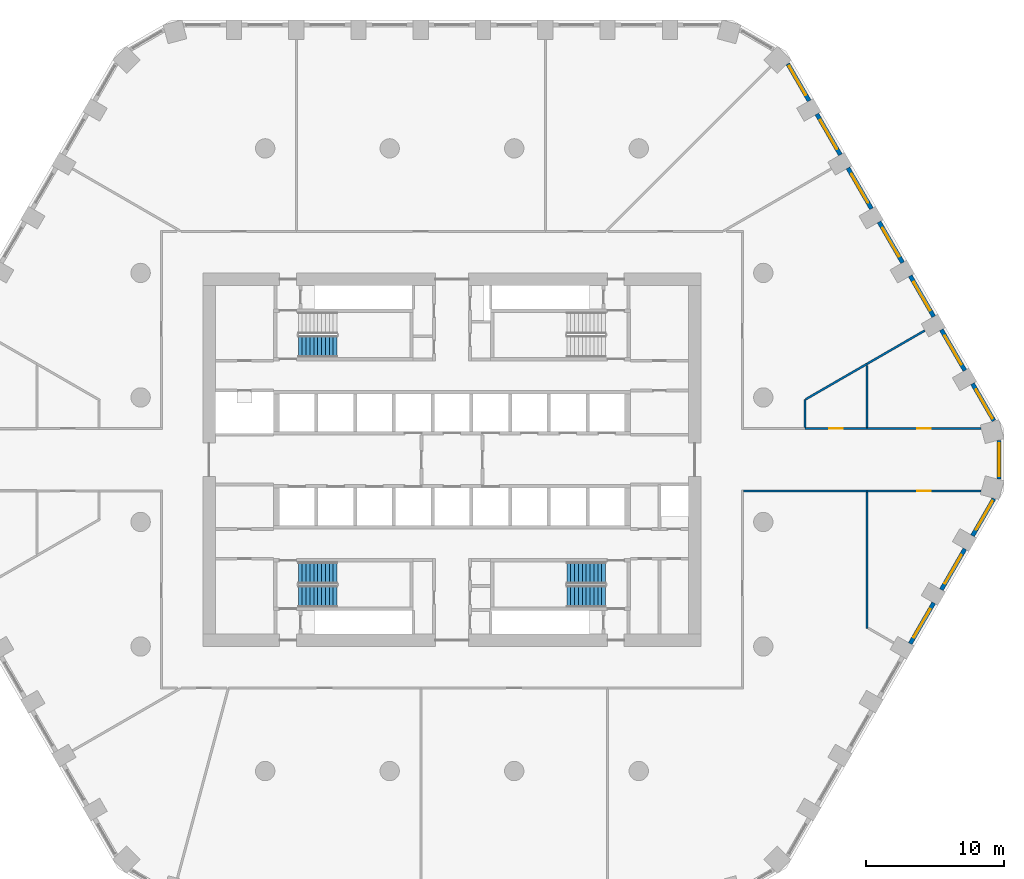
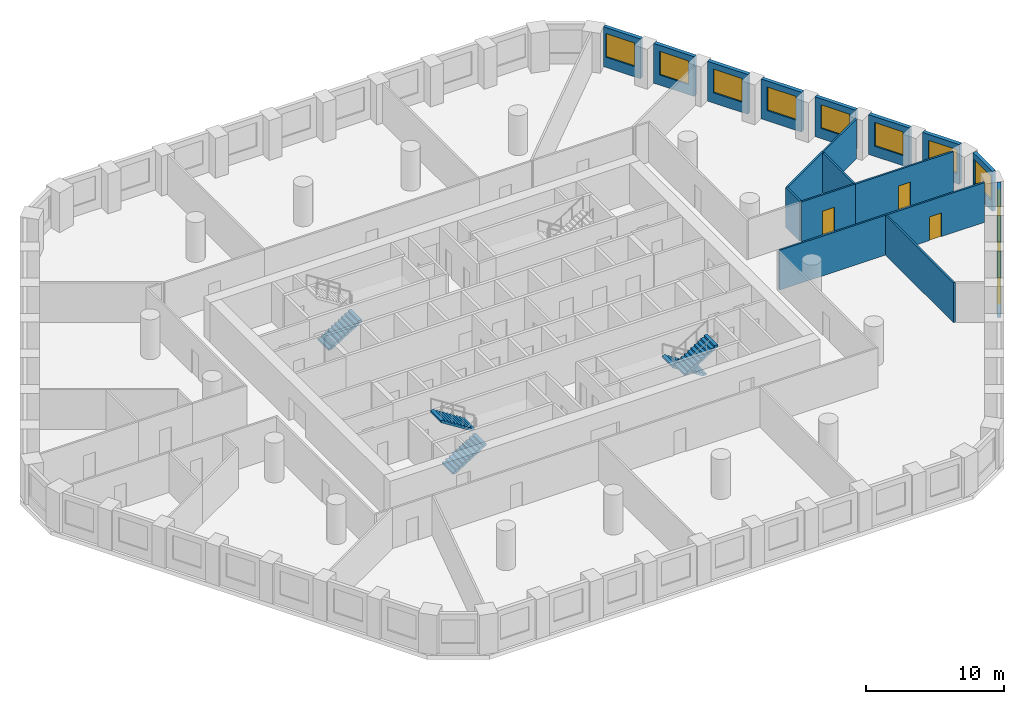
# One storey, part 8 of 10: 20 walls, 11 windows, 5 stair flights, 3 doors, 14 openings, 3 elements without a shape of their own.
"""IFC4 building model written with IfcOpenShell, lengths in metres."""

from ifc_helpers import new_model, si_unit, direction, frame, frame_2d, origin, place, context, subcontext, project, spatial, polyline, rectangle, outline, extrude, material, layer, layer_set, type_object, element, fill, aggregate, save


model = new_model("IFC4")

# Units and contexts
model_context = context("Model", 3, precision=1e-05, world=origin(), true_north=direction((0.0, 1.0)))
body_context = subcontext(model_context, "Body", "Model", "MODEL_VIEW")
ifc_project = project(units=[si_unit("LENGTHUNIT", "METRE"), si_unit("AREAUNIT", "SQUARE_METRE"), si_unit("VOLUMEUNIT", "CUBIC_METRE"), si_unit("PLANEANGLEUNIT", "RADIAN"), si_unit("MASSUNIT", "GRAM", prefix="KILO")], contexts=[model_context])

# Site, building, storey
site_placement = place(None, origin())
site = spatial("IfcSite", under=ifc_project, at=site_placement, CompositionType="ELEMENT")
building_placement = place(site_placement, origin())
building = spatial("IfcBuilding", under=site, at=building_placement, Name="Dhurran Vertical Campus", CompositionType="ELEMENT")
storey_placement = place(building_placement, frame((0.0, 0.0, 37.800048828125)))
storey = spatial("IfcBuildingStorey", under=building, at=storey_placement, Name="L08", CompositionType="ELEMENT", Elevation=37.800048828125)

# Wall, opening, window
ifc_material_1 = material(Name="Precast concrete C50/60", Category="concrete")
ifc_layer_1 = layer(ifc_material_1, 0.300048828125)
ifc_layer_set_1 = layer_set([ifc_layer_1], Name="Precast concrete C50/60")
wall_type_1 = type_object("IfcWallType", Name="Precast spandrel wall 300", PredefinedType="SOLIDWALL", material=ifc_layer_set_1)
wall_1_placement = place(storey_placement, frame((33.119384765625, -13.28955078125, 0.0), z_axis=(0.0, 0.0, 1.0), x_axis=(0.499993955907, 0.866028893315, 0.0)))
wall_1 = element("IfcWall", 1, at=wall_1_placement, inside=storey, type_object=wall_type_1, Name="EW1 L08.14", PredefinedType="SOLIDWALL", context=body_context, shape_type="SweptSolid", body=[
    extrude(rectangle(XDim=3.39892578125, YDim=0.300048828125, at=frame_2d((1.699462890625, 0.0))), origin(), (0.0, 0.0, 1.0), 3.52490234375),
])
opening_1_placement = place(wall_1_placement, frame((0.49951171875, 0.0, 0.89990234375)))
opening_1 = element("IfcOpeningElement", 2, at=opening_1_placement, cuts=wall_1, Name="Opening WT1", PredefinedType="OPENING", context=body_context, shape_type="SweptSolid", body=[
    extrude(rectangle(XDim=2.39990234375, YDim=2.10009765625, at=frame_2d((1.199951171875, 1.050048828125))), frame((0.0, 0.159912109375, 0.0), z_axis=(0.0, -1.0, 0.0), x_axis=(1.0, 0.0, 0.0)), (0.0, 0.0, 1.0), 0.320068359375),
])
ifc_material_2 = material(Name="Aluminium frame with solar-control glass", Category="aluminium")
window_type = type_object("IfcWindowType", Name="Punched window 2400 x 2100", PartitioningType="SINGLE_PANEL", PredefinedType="WINDOW", material=ifc_material_2)
window_1_placement = place(opening_1_placement, origin())
window_1 = element("IfcWindow", 3, at=window_1_placement, inside=storey, type_object=window_type, Name="WT1 L08.14", OverallHeight=2.10009765625, OverallWidth=2.39990234375, PartitioningType="SINGLE_PANEL", PredefinedType="WINDOW", context=body_context, shape_type="SweptSolid", body=[
    extrude(rectangle(XDim=2.39990234375, YDim=2.10009765625, at=frame_2d((1.199951171875, 1.050048828125))), frame((0.0, 0.030029296875, 0.0), z_axis=(0.0, -1.0, 0.0), x_axis=(1.0, 0.0, 0.0)), (0.0, 0.0, 1.0), 0.06005859375),
])
fill(opening_1, window_1)

wall_2_placement = place(storey_placement, frame((35.369384765625, -9.392578125, 0.0), z_axis=(0.0, 0.0, 1.0), x_axis=(0.499993955907, 0.866028893315, 0.0)))
wall_2 = element("IfcWall", 4, at=wall_2_placement, inside=storey, type_object=wall_type_1, Name="EW1 L08.15", PredefinedType="SOLIDWALL", context=body_context, shape_type="SweptSolid", body=[
    extrude(rectangle(XDim=3.39892578125, YDim=0.300048828125, at=frame_2d((1.699462890625, 0.0))), origin(), (0.0, 0.0, 1.0), 3.52490234375),
])
opening_2_placement = place(wall_2_placement, frame((0.49951171875, 0.0, 0.89990234375)))
opening_2 = element("IfcOpeningElement", 5, at=opening_2_placement, cuts=wall_2, Name="Opening WT1", PredefinedType="OPENING", context=body_context, shape_type="SweptSolid", body=[
    extrude(rectangle(XDim=2.39990234375, YDim=2.10009765625, at=frame_2d((1.199951171875, 1.050048828125))), frame((0.0, 0.159912109375, 0.0), z_axis=(0.0, -1.0, 0.0), x_axis=(1.0, 0.0, 0.0)), (0.0, 0.0, 1.0), 0.320068359375),
])
window_2_placement = place(opening_2_placement, origin())
window_2 = element("IfcWindow", 6, at=window_2_placement, inside=storey, type_object=window_type, Name="WT1 L08.15", OverallHeight=2.10009765625, OverallWidth=2.39990234375, PartitioningType="SINGLE_PANEL", PredefinedType="WINDOW", context=body_context, shape_type="SweptSolid", body=[
    extrude(rectangle(XDim=2.39990234375, YDim=2.10009765625, at=frame_2d((1.199951171875, 1.050048828125))), frame((0.0, 0.030029296875, 0.0), z_axis=(0.0, -1.0, 0.0), x_axis=(1.0, 0.0, 0.0)), (0.0, 0.0, 1.0), 0.06005859375),
])
fill(opening_2, window_2)

wall_3_placement = place(storey_placement, frame((37.619384765625, -5.495361328125, 0.0), z_axis=(0.0, 0.0, 1.0), x_axis=(0.49997090907, 0.866042198789, 0.0)))
wall_3 = element("IfcWall", 7, at=wall_3_placement, inside=storey, type_object=wall_type_1, Name="EW1 L08.16", PredefinedType="SOLIDWALL", context=body_context, shape_type="SweptSolid", body=[
    extrude(rectangle(XDim=3.090576171875, YDim=0.300048828125, at=frame_2d((1.54541015625, 0.0))), origin(), (0.0, 0.0, 1.0), 3.52490234375),
])
opening_3_placement = place(wall_3_placement, frame((0.49951171875, 0.0, 0.89990234375)))
opening_3 = element("IfcOpeningElement", 8, at=opening_3_placement, cuts=wall_3, Name="Opening WT1", PredefinedType="OPENING", context=body_context, shape_type="SweptSolid", body=[
    extrude(rectangle(XDim=2.39990234375, YDim=2.10009765625, at=frame_2d((1.199951171875, 1.050048828125))), frame((0.0, 0.159912109375, 0.0), z_axis=(0.0, -1.0, 0.0), x_axis=(1.0, 0.0, 0.0)), (0.0, 0.0, 1.0), 0.320068359375),
])
window_3_placement = place(opening_3_placement, origin())
window_3 = element("IfcWindow", 9, at=window_3_placement, inside=storey, type_object=window_type, Name="WT1 L08.16", OverallHeight=2.10009765625, OverallWidth=2.39990234375, PartitioningType="SINGLE_PANEL", PredefinedType="WINDOW", context=body_context, shape_type="SweptSolid", body=[
    extrude(rectangle(XDim=2.39990234375, YDim=2.10009765625, at=frame_2d((1.199951171875, 1.050048828125))), frame((0.0, 0.030029296875, 0.0), z_axis=(0.0, -1.0, 0.0), x_axis=(1.0, 0.0, 0.0)), (0.0, 0.0, 1.0), 0.06005859375),
])
fill(opening_3, window_3)

wall_4_placement = place(storey_placement, frame((39.547119140625, -1.39111328125, 0.0), z_axis=(0.0, 0.0, 1.0), x_axis=(0.0, 1.0, 0.0)))
wall_4 = element("IfcWall", 10, at=wall_4_placement, inside=storey, type_object=wall_type_1, Name="EW1 L08.17", PredefinedType="SOLIDWALL", context=body_context, shape_type="SweptSolid", body=[
    extrude(rectangle(XDim=2.7822265625, YDim=0.300048828125, at=frame_2d((1.39111328125, 0.0))), origin(), (0.0, 0.0, 1.0), 3.52490234375),
])
opening_4_placement = place(wall_4_placement, frame((0.191162109375, 0.0, 0.89990234375)))
opening_4 = element("IfcOpeningElement", 11, at=opening_4_placement, cuts=wall_4, Name="Opening WT1", PredefinedType="OPENING", context=body_context, shape_type="SweptSolid", body=[
    extrude(rectangle(XDim=2.39990234375, YDim=2.10009765625, at=frame_2d((1.199951171875, 1.050048828125))), frame((0.0, 0.159912109375, 0.0), z_axis=(0.0, -1.0, 0.0), x_axis=(1.0, 0.0, 0.0)), (0.0, 0.0, 1.0), 0.320068359375),
])
window_4_placement = place(opening_4_placement, origin())
window_4 = element("IfcWindow", 12, at=window_4_placement, inside=storey, type_object=window_type, Name="WT1 L08.17", OverallHeight=2.10009765625, OverallWidth=2.39990234375, PartitioningType="SINGLE_PANEL", PredefinedType="WINDOW", context=body_context, shape_type="SweptSolid", body=[
    extrude(rectangle(XDim=2.39990234375, YDim=2.10009765625, at=frame_2d((1.199951171875, 1.050048828125))), frame((0.0, 0.030029296875, 0.0), z_axis=(0.0, -1.0, 0.0), x_axis=(1.0, 0.0, 0.0)), (0.0, 0.0, 1.0), 0.06005859375),
])
fill(opening_4, window_4)

wall_5_placement = place(storey_placement, frame((39.16455078125, 2.81884765625, 0.0), z_axis=(0.0, 0.0, 1.0), x_axis=(-0.49997090907, 0.866042198789, 0.0)))
wall_5 = element("IfcWall", 13, at=wall_5_placement, inside=storey, type_object=wall_type_1, Name="EW1 L08.18", PredefinedType="SOLIDWALL", context=body_context, shape_type="SweptSolid", body=[
    extrude(rectangle(XDim=3.090576171875, YDim=0.300048828125, at=frame_2d((1.54541015625, 0.0))), origin(), (0.0, 0.0, 1.0), 3.52490234375),
])
opening_5_placement = place(wall_5_placement, frame((0.19091796875, 0.0, 0.89990234375)))
opening_5 = element("IfcOpeningElement", 14, at=opening_5_placement, cuts=wall_5, Name="Opening WT1", PredefinedType="OPENING", context=body_context, shape_type="SweptSolid", body=[
    extrude(rectangle(XDim=2.39990234375, YDim=2.10009765625, at=frame_2d((1.199951171875, 1.050048828125))), frame((0.0, 0.159912109375, 0.0), z_axis=(0.0, -1.0, 0.0), x_axis=(1.0, 0.0, 0.0)), (0.0, 0.0, 1.0), 0.320068359375),
])
window_5_placement = place(opening_5_placement, origin())
window_5 = element("IfcWindow", 15, at=window_5_placement, inside=storey, type_object=window_type, Name="WT1 L08.18", OverallHeight=2.10009765625, OverallWidth=2.39990234375, PartitioningType="SINGLE_PANEL", PredefinedType="WINDOW", context=body_context, shape_type="SweptSolid", body=[
    extrude(rectangle(XDim=2.39990234375, YDim=2.10009765625, at=frame_2d((1.199951171875, 1.050048828125))), frame((0.0, 0.030029296875, 0.0), z_axis=(0.0, -1.0, 0.0), x_axis=(1.0, 0.0, 0.0)), (0.0, 0.0, 1.0), 0.06005859375),
])
fill(opening_5, window_5)

wall_6_placement = place(storey_placement, frame((37.06884765625, 6.448974609375, 0.0), z_axis=(0.0, 0.0, 1.0), x_axis=(-0.499993955907, 0.866028893315, 0.0)))
wall_6 = element("IfcWall", 16, at=wall_6_placement, inside=storey, type_object=wall_type_1, Name="EW1 L08.19", PredefinedType="SOLIDWALL", context=body_context, shape_type="SweptSolid", body=[
    extrude(rectangle(XDim=3.39892578125, YDim=0.300048828125, at=frame_2d((1.699462890625, 0.0))), origin(), (0.0, 0.0, 1.0), 3.52490234375),
])
opening_6_placement = place(wall_6_placement, frame((0.49951171875, 0.0, 0.89990234375)))
opening_6 = element("IfcOpeningElement", 17, at=opening_6_placement, cuts=wall_6, Name="Opening WT1", PredefinedType="OPENING", context=body_context, shape_type="SweptSolid", body=[
    extrude(rectangle(XDim=2.39990234375, YDim=2.10009765625, at=frame_2d((1.199951171875, 1.050048828125))), frame((0.0, 0.159912109375, 0.0), z_axis=(0.0, -1.0, 0.0), x_axis=(1.0, 0.0, 0.0)), (0.0, 0.0, 1.0), 0.320068359375),
])
window_6_placement = place(opening_6_placement, origin())
window_6 = element("IfcWindow", 18, at=window_6_placement, inside=storey, type_object=window_type, Name="WT1 L08.19", OverallHeight=2.10009765625, OverallWidth=2.39990234375, PartitioningType="SINGLE_PANEL", PredefinedType="WINDOW", context=body_context, shape_type="SweptSolid", body=[
    extrude(rectangle(XDim=2.39990234375, YDim=2.10009765625, at=frame_2d((1.199951171875, 1.050048828125))), frame((0.0, 0.030029296875, 0.0), z_axis=(0.0, -1.0, 0.0), x_axis=(1.0, 0.0, 0.0)), (0.0, 0.0, 1.0), 0.06005859375),
])
fill(opening_6, window_6)

wall_7_placement = place(storey_placement, frame((34.81884765625, 10.345947265625, 0.0), z_axis=(0.0, 0.0, 1.0), x_axis=(-0.499993955907, 0.866028893315, 0.0)))
wall_7 = element("IfcWall", 19, at=wall_7_placement, inside=storey, type_object=wall_type_1, Name="EW1 L08.20", PredefinedType="SOLIDWALL", context=body_context, shape_type="SweptSolid", body=[
    extrude(rectangle(XDim=3.39892578125, YDim=0.300048828125, at=frame_2d((1.699462890625, 0.0))), origin(), (0.0, 0.0, 1.0), 3.52490234375),
])
opening_7_placement = place(wall_7_placement, frame((0.49951171875, 0.0, 0.89990234375)))
opening_7 = element("IfcOpeningElement", 20, at=opening_7_placement, cuts=wall_7, Name="Opening WT1", PredefinedType="OPENING", context=body_context, shape_type="SweptSolid", body=[
    extrude(rectangle(XDim=2.39990234375, YDim=2.10009765625, at=frame_2d((1.199951171875, 1.050048828125))), frame((0.0, 0.159912109375, 0.0), z_axis=(0.0, -1.0, 0.0), x_axis=(1.0, 0.0, 0.0)), (0.0, 0.0, 1.0), 0.320068359375),
])
window_7_placement = place(opening_7_placement, origin())
window_7 = element("IfcWindow", 21, at=window_7_placement, inside=storey, type_object=window_type, Name="WT1 L08.20", OverallHeight=2.10009765625, OverallWidth=2.39990234375, PartitioningType="SINGLE_PANEL", PredefinedType="WINDOW", context=body_context, shape_type="SweptSolid", body=[
    extrude(rectangle(XDim=2.39990234375, YDim=2.10009765625, at=frame_2d((1.199951171875, 1.050048828125))), frame((0.0, 0.030029296875, 0.0), z_axis=(0.0, -1.0, 0.0), x_axis=(1.0, 0.0, 0.0)), (0.0, 0.0, 1.0), 0.06005859375),
])
fill(opening_7, window_7)

wall_8_placement = place(storey_placement, frame((32.56884765625, 14.2431640625, 0.0), z_axis=(0.0, 0.0, 1.0), x_axis=(-0.499993955907, 0.866028893315, 0.0)))
wall_8 = element("IfcWall", 22, at=wall_8_placement, inside=storey, type_object=wall_type_1, Name="EW1 L08.21", PredefinedType="SOLIDWALL", context=body_context, shape_type="SweptSolid", body=[
    extrude(rectangle(XDim=3.39892578125, YDim=0.300048828125, at=frame_2d((1.699462890625, 0.0))), origin(), (0.0, 0.0, 1.0), 3.52490234375),
])
opening_8_placement = place(wall_8_placement, frame((0.49951171875, 0.0, 0.89990234375)))
opening_8 = element("IfcOpeningElement", 23, at=opening_8_placement, cuts=wall_8, Name="Opening WT1", PredefinedType="OPENING", context=body_context, shape_type="SweptSolid", body=[
    extrude(rectangle(XDim=2.39990234375, YDim=2.10009765625, at=frame_2d((1.199951171875, 1.050048828125))), frame((0.0, 0.159912109375, 0.0), z_axis=(0.0, -1.0, 0.0), x_axis=(1.0, 0.0, 0.0)), (0.0, 0.0, 1.0), 0.320068359375),
])
window_8_placement = place(opening_8_placement, origin())
window_8 = element("IfcWindow", 24, at=window_8_placement, inside=storey, type_object=window_type, Name="WT1 L08.21", OverallHeight=2.10009765625, OverallWidth=2.39990234375, PartitioningType="SINGLE_PANEL", PredefinedType="WINDOW", context=body_context, shape_type="SweptSolid", body=[
    extrude(rectangle(XDim=2.39990234375, YDim=2.10009765625, at=frame_2d((1.199951171875, 1.050048828125))), frame((0.0, 0.030029296875, 0.0), z_axis=(0.0, -1.0, 0.0), x_axis=(1.0, 0.0, 0.0)), (0.0, 0.0, 1.0), 0.06005859375),
])
fill(opening_8, window_8)

wall_9_placement = place(storey_placement, frame((30.31884765625, 18.14013671875, 0.0), z_axis=(0.0, 0.0, 1.0), x_axis=(-0.499993955907, 0.866028893315, 0.0)))
wall_9 = element("IfcWall", 25, at=wall_9_placement, inside=storey, type_object=wall_type_1, Name="EW1 L08.22", PredefinedType="SOLIDWALL", context=body_context, shape_type="SweptSolid", body=[
    extrude(rectangle(XDim=3.39892578125, YDim=0.300048828125, at=frame_2d((1.699462890625, 0.0))), origin(), (0.0, 0.0, 1.0), 3.52490234375),
])
opening_9_placement = place(wall_9_placement, frame((0.49951171875, 0.0, 0.89990234375)))
opening_9 = element("IfcOpeningElement", 26, at=opening_9_placement, cuts=wall_9, Name="Opening WT1", PredefinedType="OPENING", context=body_context, shape_type="SweptSolid", body=[
    extrude(rectangle(XDim=2.39990234375, YDim=2.10009765625, at=frame_2d((1.199951171875, 1.050048828125))), frame((0.0, 0.159912109375, 0.0), z_axis=(0.0, -1.0, 0.0), x_axis=(1.0, 0.0, 0.0)), (0.0, 0.0, 1.0), 0.320068359375),
])
window_9_placement = place(opening_9_placement, origin())
window_9 = element("IfcWindow", 27, at=window_9_placement, inside=storey, type_object=window_type, Name="WT1 L08.22", OverallHeight=2.10009765625, OverallWidth=2.39990234375, PartitioningType="SINGLE_PANEL", PredefinedType="WINDOW", context=body_context, shape_type="SweptSolid", body=[
    extrude(rectangle(XDim=2.39990234375, YDim=2.10009765625, at=frame_2d((1.199951171875, 1.050048828125))), frame((0.0, 0.030029296875, 0.0), z_axis=(0.0, -1.0, 0.0), x_axis=(1.0, 0.0, 0.0)), (0.0, 0.0, 1.0), 0.06005859375),
])
fill(opening_9, window_9)

wall_10_placement = place(storey_placement, frame((28.06884765625, 22.037353515625, 0.0), z_axis=(0.0, 0.0, 1.0), x_axis=(-0.499993955907, 0.866028893315, 0.0)))
wall_10 = element("IfcWall", 28, at=wall_10_placement, inside=storey, type_object=wall_type_1, Name="EW1 L08.23", PredefinedType="SOLIDWALL", context=body_context, shape_type="SweptSolid", body=[
    extrude(rectangle(XDim=3.39892578125, YDim=0.300048828125, at=frame_2d((1.699462890625, 0.0))), origin(), (0.0, 0.0, 1.0), 3.52490234375),
])
opening_10_placement = place(wall_10_placement, frame((0.49951171875, 0.0, 0.89990234375)))
opening_10 = element("IfcOpeningElement", 29, at=opening_10_placement, cuts=wall_10, Name="Opening WT1", PredefinedType="OPENING", context=body_context, shape_type="SweptSolid", body=[
    extrude(rectangle(XDim=2.39990234375, YDim=2.10009765625, at=frame_2d((1.199951171875, 1.050048828125))), frame((0.0, 0.159912109375, 0.0), z_axis=(0.0, -1.0, 0.0), x_axis=(1.0, 0.0, 0.0)), (0.0, 0.0, 1.0), 0.320068359375),
])
window_10_placement = place(opening_10_placement, origin())
window_10 = element("IfcWindow", 30, at=window_10_placement, inside=storey, type_object=window_type, Name="WT1 L08.23", OverallHeight=2.10009765625, OverallWidth=2.39990234375, PartitioningType="SINGLE_PANEL", PredefinedType="WINDOW", context=body_context, shape_type="SweptSolid", body=[
    extrude(rectangle(XDim=2.39990234375, YDim=2.10009765625, at=frame_2d((1.199951171875, 1.050048828125))), frame((0.0, 0.030029296875, 0.0), z_axis=(0.0, -1.0, 0.0), x_axis=(1.0, 0.0, 0.0)), (0.0, 0.0, 1.0), 0.06005859375),
])
fill(opening_10, window_10)

wall_11_placement = place(storey_placement, frame((25.81884765625, 25.934326171875, 0.0), z_axis=(0.0, 0.0, 1.0), x_axis=(-0.499995950774, 0.866027741594, 0.0)))
wall_11 = element("IfcWall", 31, at=wall_11_placement, inside=storey, type_object=wall_type_1, Name="EW1 L08.24", PredefinedType="SOLIDWALL", context=body_context, shape_type="SweptSolid", body=[
    extrude(rectangle(XDim=3.0908203125, YDim=0.300048828125, at=frame_2d((1.54541015625, 0.0))), origin(), (0.0, 0.0, 1.0), 3.52490234375),
])
opening_11_placement = place(wall_11_placement, frame((0.49951171875, 0.0, 0.89990234375)))
opening_11 = element("IfcOpeningElement", 32, at=opening_11_placement, cuts=wall_11, Name="Opening WT1", PredefinedType="OPENING", context=body_context, shape_type="SweptSolid", body=[
    extrude(rectangle(XDim=2.39990234375, YDim=2.10009765625, at=frame_2d((1.199951171875, 1.050048828125))), frame((0.0, 0.159912109375, 0.0), z_axis=(0.0, -1.0, 0.0), x_axis=(1.0, 0.0, 0.0)), (0.0, 0.0, 1.0), 0.320068359375),
])
window_11_placement = place(opening_11_placement, origin())
window_11 = element("IfcWindow", 33, at=window_11_placement, inside=storey, type_object=window_type, Name="WT1 L08.24", OverallHeight=2.10009765625, OverallWidth=2.39990234375, PartitioningType="SINGLE_PANEL", PredefinedType="WINDOW", context=body_context, shape_type="SweptSolid", body=[
    extrude(rectangle(XDim=2.39990234375, YDim=2.10009765625, at=frame_2d((1.199951171875, 1.050048828125))), frame((0.0, 0.030029296875, 0.0), z_axis=(0.0, -1.0, 0.0), x_axis=(1.0, 0.0, 0.0)), (0.0, 0.0, 1.0), 0.06005859375),
])
fill(opening_11, window_11)

# Wall
ifc_material_3 = material(Name="Gypsum board corridor wall on steel studs", Category="steel")
ifc_layer_2 = layer(ifc_material_3, 0.14990234375)
ifc_layer_set_2 = layer_set([ifc_layer_2], Name="Gypsum board corridor wall on steel studs")
wall_type_2 = type_object("IfcWallType", Name="fl-CW-150 corridor wall", PredefinedType="PARTITIONING", material=ifc_layer_set_2)
wall_12_placement = place(storey_placement, frame((30.0, -2.25, 0.0), z_axis=(0.0, 0.0, 1.0), x_axis=(-1.0, 0.0, 0.0)))
element("IfcWall", 34, at=wall_12_placement, inside=storey, type_object=wall_type_2, Name="Partition 08-38", PredefinedType="PARTITIONING", context=body_context, shape_type="SweptSolid", body=[
    extrude(rectangle(XDim=8.925048828125, YDim=0.14990234375, at=frame_2d((4.46240234375, 0.0))), origin(), (0.0, 0.0, 1.0), 3.52490234375),
])

# Wall, opening, door
wall_13_placement = place(storey_placement, frame((25.5, 2.25, 0.0), z_axis=(0.0, 0.0, 1.0), x_axis=(1.0, 0.0, 0.0)))
wall_13 = element("IfcWall", 35, at=wall_13_placement, inside=storey, type_object=wall_type_2, Name="Partition 08-42", PredefinedType="PARTITIONING", context=body_context, shape_type="SweptSolid", body=[
    extrude(rectangle(XDim=4.5, YDim=0.14990234375, at=frame_2d((2.25, 0.0))), origin(), (0.0, 0.0, 1.0), 3.52490234375),
])
opening_12_placement = place(wall_13_placement, frame((1.75, 0.0, 0.0)))
opening_12 = element("IfcOpeningElement", 36, at=opening_12_placement, cuts=wall_13, Name="Opening T01.16", PredefinedType="OPENING", context=body_context, shape_type="SweptSolid", body=[
    extrude(rectangle(XDim=1.0, YDim=2.10009765625, at=frame_2d((0.5, 1.050048828125))), frame((0.0, 0.0849609375, 0.0), z_axis=(0.0, -1.0, 0.0), x_axis=(1.0, 0.0, 0.0)), (0.0, 0.0, 1.0), 0.169921875),
])
ifc_material_4 = material(Name="Solid-core timber door set, fire-rated", Category="wood")
door_type = type_object("IfcDoorType", Name="fl-D-1000x2100", OperationType="SINGLE_SWING_LEFT", PredefinedType="DOOR", material=ifc_material_4)
door_1_placement = place(opening_12_placement, origin())
door_1 = element("IfcDoor", 37, at=door_1_placement, inside=storey, type_object=door_type, Name="Door 08.16", OperationType="SINGLE_SWING_RIGHT", OverallHeight=2.10009765625, OverallWidth=1.0, PredefinedType="DOOR", context=body_context, shape_type="SweptSolid", body=[
    extrude(rectangle(XDim=1.0, YDim=2.10009765625, at=frame_2d((0.5, 1.050048828125))), frame((0.0, 0.02490234375, 0.0), z_axis=(0.0, -1.0, 0.0), x_axis=(1.0, 0.0, 0.0)), (0.0, 0.0, 1.0), 0.050048828125),
])
fill(opening_12, door_1)

wall_14_placement = place(storey_placement, frame((38.23291015625, -2.25, 0.0), z_axis=(0.0, 0.0, 1.0), x_axis=(-1.0, 0.0, 0.0)))
wall_14 = element("IfcWall", 38, at=wall_14_placement, inside=storey, type_object=wall_type_2, Name="Partition 08-46", PredefinedType="PARTITIONING", context=body_context, shape_type="SweptSolid", body=[
    extrude(rectangle(XDim=8.23291015625, YDim=0.14990234375, at=frame_2d((4.116455078125, 0.0))), origin(), (0.0, 0.0, 1.0), 3.52490234375),
])
opening_13_placement = place(wall_14_placement, frame((3.616455078125, 0.0, 0.0)))
opening_13 = element("IfcOpeningElement", 39, at=opening_13_placement, cuts=wall_14, Name="Opening T01.17", PredefinedType="OPENING", context=body_context, shape_type="SweptSolid", body=[
    extrude(rectangle(XDim=1.0, YDim=2.10009765625, at=frame_2d((0.5, 1.050048828125))), frame((0.0, 0.0849609375, 0.0), z_axis=(0.0, -1.0, 0.0), x_axis=(1.0, 0.0, 0.0)), (0.0, 0.0, 1.0), 0.169921875),
])
door_2_placement = place(opening_13_placement, origin())
door_2 = element("IfcDoor", 40, at=door_2_placement, inside=storey, type_object=door_type, Name="Door 08.17", OperationType="SINGLE_SWING_LEFT", OverallHeight=2.10009765625, OverallWidth=1.0, PredefinedType="DOOR", context=body_context, shape_type="SweptSolid", body=[
    extrude(rectangle(XDim=1.0, YDim=2.10009765625, at=frame_2d((0.5, 1.050048828125))), frame((0.0, 0.02490234375, 0.0), z_axis=(0.0, -1.0, 0.0), x_axis=(1.0, 0.0, 0.0)), (0.0, 0.0, 1.0), 0.050048828125),
])
fill(opening_13, door_2)

wall_15_placement = place(storey_placement, frame((30.0, 2.25, 0.0), z_axis=(0.0, 0.0, 1.0), x_axis=(1.0, 0.0, 0.0)))
wall_15 = element("IfcWall", 41, at=wall_15_placement, inside=storey, type_object=wall_type_2, Name="Partition 08-48", PredefinedType="PARTITIONING", context=body_context, shape_type="SweptSolid", body=[
    extrude(rectangle(XDim=8.23291015625, YDim=0.14990234375, at=frame_2d((4.116455078125, 0.0))), origin(), (0.0, 0.0, 1.0), 3.52490234375),
])
opening_14_placement = place(wall_15_placement, frame((3.616455078125, 0.0, 0.0)))
opening_14 = element("IfcOpeningElement", 42, at=opening_14_placement, cuts=wall_15, Name="Opening T01.18", PredefinedType="OPENING", context=body_context, shape_type="SweptSolid", body=[
    extrude(rectangle(XDim=1.0, YDim=2.10009765625, at=frame_2d((0.5, 1.050048828125))), frame((0.0, 0.0849609375, 0.0), z_axis=(0.0, -1.0, 0.0), x_axis=(1.0, 0.0, 0.0)), (0.0, 0.0, 1.0), 0.169921875),
])
door_3_placement = place(opening_14_placement, origin())
door_3 = element("IfcDoor", 43, at=door_3_placement, inside=storey, type_object=door_type, Name="Door 08.18", OperationType="SINGLE_SWING_RIGHT", OverallHeight=2.10009765625, OverallWidth=1.0, PredefinedType="DOOR", context=body_context, shape_type="SweptSolid", body=[
    extrude(rectangle(XDim=1.0, YDim=2.10009765625, at=frame_2d((0.5, 1.050048828125))), frame((0.0, 0.02490234375, 0.0), z_axis=(0.0, -1.0, 0.0), x_axis=(1.0, 0.0, 0.0)), (0.0, 0.0, 1.0), 0.050048828125),
])
fill(opening_14, door_3)

# Walls
ifc_material_5 = material(Name="Gypsum board partition on steel studs", Category="steel")
ifc_layer_3 = layer(ifc_material_5, 0.14990234375)
ifc_layer_set_3 = layer_set([ifc_layer_3], Name="Gypsum board partition on steel studs")
wall_type_3 = type_object("IfcWallType", Name="fl-PW-150 fixed partition", PredefinedType="PARTITIONING", material=ifc_layer_set_3)
wall_16_placement = place(storey_placement, frame((25.5, 4.35498046875, 0.0), z_axis=(0.0, 0.0, 1.0), x_axis=(0.0, -1.0, 0.0)))
element("IfcWall", 44, at=wall_16_placement, inside=storey, type_object=wall_type_3, Name="Partition 08-41", PredefinedType="PARTITIONING", context=body_context, shape_type="SweptSolid", body=[
    extrude(rectangle(XDim=2.030029296875, YDim=0.14990234375, at=frame_2d((1.01513671875, 0.0))), origin(), (0.0, 0.0, 1.0), 3.52490234375),
])
wall_17_placement = place(storey_placement, frame((30.0, 6.927978515625, 0.0), z_axis=(0.0, 0.0, 1.0), x_axis=(-0.866028396804, -0.499994815902, 0.0)))
element("IfcWall", 45, at=wall_17_placement, inside=storey, type_object=wall_type_3, Name="Partition 08-43", PredefinedType="PARTITIONING", context=body_context, shape_type="SweptSolid", body=[
    extrude(rectangle(XDim=5.12109375, YDim=0.14990234375, at=frame_2d((2.560546875, 0.0))), origin(), (0.0, 0.0, 1.0), 3.52490234375),
])
wall_18_placement = place(storey_placement, frame((30.0, -2.324951171875, 0.0), z_axis=(0.0, 0.0, 1.0), x_axis=(0.0, -1.0, 0.0)))
element("IfcWall", 46, at=wall_18_placement, inside=storey, type_object=wall_type_3, Name="Partition 08-44", PredefinedType="PARTITIONING", context=body_context, shape_type="SweptSolid", body=[
    extrude(rectangle(XDim=9.8740234375, YDim=0.14990234375, at=frame_2d((4.93701171875, 0.0))), origin(), (0.0, 0.0, 1.0), 3.52490234375),
])
wall_19_placement = place(storey_placement, frame((30.0, 6.798095703125, 0.0), z_axis=(0.0, 0.0, 1.0), x_axis=(0.0, -1.0, 0.0)))
element("IfcWall", 47, at=wall_19_placement, inside=storey, type_object=wall_type_3, Name="Partition 08-47", PredefinedType="PARTITIONING", context=body_context, shape_type="SweptSolid", body=[
    extrude(rectangle(XDim=4.47314453125, YDim=0.14990234375, at=frame_2d((2.236572265625, 0.0))), origin(), (0.0, 0.0, 1.0), 3.52490234375),
])
wall_20_placement = place(storey_placement, frame((34.16748046875, 9.334228515625, 0.0), z_axis=(0.0, 0.0, 1.0), x_axis=(-0.866011543723, -0.500024005562, 0.0)))
element("IfcWall", 48, at=wall_20_placement, inside=storey, type_object=wall_type_3, Name="Partition 08-49", PredefinedType="PARTITIONING", context=body_context, shape_type="SweptSolid", body=[
    extrude(rectangle(XDim=4.812255859375, YDim=0.14990234375, at=frame_2d((2.40625, 0.0))), origin(), (0.0, 0.0, 1.0), 3.52490234375),
])

# Stair, stair flight
ifc_material_6 = material(Name="Concrete C40/50", Category="concrete")
stair_type = type_object("IfcStairType", Name="co-ST-CORE", PredefinedType="HALF_TURN_STAIR", material=ifc_material_6)
stair_1_placement = place(storey_placement, origin())
stair_1 = element("IfcStair", 49, at=stair_1_placement, inside=storey, type_object=stair_type, Name="L08 Protected exit stair ST1", PredefinedType="HALF_TURN_STAIR")
ifc_material_7 = material(Name="Concrete C40/50", Category="concrete")
stair_flight_type = type_object("IfcStairFlightType", Name="co-SFL-RC", PredefinedType="STRAIGHT", material=ifc_material_7)
stair_flight_1_placement = place(storey_placement, frame((-11.10009765625, 8.175048828125, 0.0), z_axis=(0.0, 0.0, 1.0), x_axis=(1.0, 0.0, 0.0)))
stair_flight_1 = element("IfcStairFlight", 50, at=stair_flight_1_placement, type_object=stair_flight_type, Name="ST1 flight 1", NumberOfRisers=11, NumberOfTreads=10, PredefinedType="STRAIGHT", RiserHeight=0.177272727, TreadLength=0.28, context=body_context, shape_type="SweptSolid", body=[
    extrude(outline(polyline([(0.0, 0.0), (0.0, 0.17724609375), (0.280029296875, 0.17724609375), (0.280029296875, 0.3544921875), (0.56005859375, 0.3544921875), (0.56005859375, 0.53173828125), (0.840087890625, 0.53173828125), (0.840087890625, 0.708984375), (1.1201171875, 0.708984375), (1.1201171875, 0.886474609375), (1.39990234375, 0.886474609375), (1.39990234375, 1.063720703125), (1.679931640625, 1.063720703125), (1.679931640625, 1.240966796875), (1.9599609375, 1.240966796875), (1.9599609375, 1.418212890625), (2.239990234375, 1.418212890625), (2.239990234375, 1.595458984375), (2.52001953125, 1.595458984375), (2.52001953125, 1.772705078125), (2.800048828125, 1.772705078125), (2.800048828125, 1.949951171875), (2.800048828125, 1.59521484375), (0.2802734375, 0.0), (0.0, 0.0)])), frame((0.0, 0.77490234375, 0.0), z_axis=(0.0, -1.0, 0.0), x_axis=(1.0, 0.0, 0.0)), (0.0, 0.0, 1.0), 1.550048828125),
])
aggregate(stair_1, [stair_flight_1])

# Stair, stair flights
stair_2_placement = place(storey_placement, origin())
stair_2 = element("IfcStair", 51, at=stair_2_placement, inside=storey, type_object=stair_type, Name="L08 Protected exit stair ST3", PredefinedType="HALF_TURN_STAIR")
stair_flight_2_placement = place(storey_placement, frame((-11.10009765625, -9.875, 0.0), z_axis=(0.0, 0.0, 1.0), x_axis=(1.0, 0.0, 0.0)))
stair_flight_2 = element("IfcStairFlight", 52, at=stair_flight_2_placement, type_object=stair_flight_type, Name="ST3 flight 1", NumberOfRisers=11, NumberOfTreads=10, PredefinedType="STRAIGHT", RiserHeight=0.177272727, TreadLength=0.28, context=body_context, shape_type="SweptSolid", body=[
    extrude(outline(polyline([(0.0, 0.0), (0.0, 0.17724609375), (0.280029296875, 0.17724609375), (0.280029296875, 0.3544921875), (0.56005859375, 0.3544921875), (0.56005859375, 0.53173828125), (0.840087890625, 0.53173828125), (0.840087890625, 0.708984375), (1.1201171875, 0.708984375), (1.1201171875, 0.886474609375), (1.39990234375, 0.886474609375), (1.39990234375, 1.063720703125), (1.679931640625, 1.063720703125), (1.679931640625, 1.240966796875), (1.9599609375, 1.240966796875), (1.9599609375, 1.418212890625), (2.239990234375, 1.418212890625), (2.239990234375, 1.595458984375), (2.52001953125, 1.595458984375), (2.52001953125, 1.772705078125), (2.800048828125, 1.772705078125), (2.800048828125, 1.949951171875), (2.800048828125, 1.59521484375), (0.2802734375, 0.0), (0.0, 0.0)])), frame((0.0, 0.77490234375, 0.0), z_axis=(0.0, -1.0, 0.0), x_axis=(1.0, 0.0, 0.0)), (0.0, 0.0, 1.0), 1.550048828125),
])
stair_flight_3_placement = place(storey_placement, frame((-8.300048828125, -8.175048828125, 1.949951171875), z_axis=(0.0, 0.0, 1.0), x_axis=(-1.0, 0.0, 0.0)))
stair_flight_3 = element("IfcStairFlight", 53, at=stair_flight_3_placement, type_object=stair_flight_type, Name="ST3 flight 2", NumberOfRisers=11, NumberOfTreads=10, PredefinedType="STRAIGHT", RiserHeight=0.177272727, TreadLength=0.28, context=body_context, shape_type="SweptSolid", body=[
    extrude(outline(polyline([(0.0, 0.0), (0.0, 0.17724609375), (0.280029296875, 0.17724609375), (0.280029296875, 0.3544921875), (0.56005859375, 0.3544921875), (0.56005859375, 0.53173828125), (0.840087890625, 0.53173828125), (0.840087890625, 0.708984375), (1.1201171875, 0.708984375), (1.1201171875, 0.886474609375), (1.39990234375, 0.886474609375), (1.39990234375, 1.063720703125), (1.679931640625, 1.063720703125), (1.679931640625, 1.240966796875), (1.9599609375, 1.240966796875), (1.9599609375, 1.418212890625), (2.239990234375, 1.418212890625), (2.239990234375, 1.595458984375), (2.52001953125, 1.595458984375), (2.52001953125, 1.772705078125), (2.800048828125, 1.772705078125), (2.800048828125, 1.949951171875), (2.800048828125, 1.59521484375), (0.2802734375, 0.0), (0.0, 0.0)])), frame((0.0, 0.77490234375, 0.0), z_axis=(0.0, -1.0, 0.0), x_axis=(1.0, 0.0, 0.0)), (0.0, 0.0, 1.0), 1.550048828125),
])
aggregate(stair_2, [stair_flight_2, stair_flight_3])

stair_3_placement = place(storey_placement, origin())
stair_3 = element("IfcStair", 54, at=stair_3_placement, inside=storey, type_object=stair_type, Name="L08 Protected exit stair ST4", PredefinedType="HALF_TURN_STAIR")
stair_flight_4_placement = place(storey_placement, frame((11.10009765625, -8.175048828125, 0.0), z_axis=(0.0, 0.0, 1.0), x_axis=(-1.0, 0.0, 0.0)))
stair_flight_4 = element("IfcStairFlight", 55, at=stair_flight_4_placement, type_object=stair_flight_type, Name="ST4 flight 1", NumberOfRisers=11, NumberOfTreads=10, PredefinedType="STRAIGHT", RiserHeight=0.177272727, TreadLength=0.28, context=body_context, shape_type="SweptSolid", body=[
    extrude(outline(polyline([(0.0, 0.0), (0.0, 0.17724609375), (0.280029296875, 0.17724609375), (0.280029296875, 0.3544921875), (0.56005859375, 0.3544921875), (0.56005859375, 0.53173828125), (0.840087890625, 0.53173828125), (0.840087890625, 0.708984375), (1.1201171875, 0.708984375), (1.1201171875, 0.886474609375), (1.39990234375, 0.886474609375), (1.39990234375, 1.063720703125), (1.679931640625, 1.063720703125), (1.679931640625, 1.240966796875), (1.9599609375, 1.240966796875), (1.9599609375, 1.418212890625), (2.239990234375, 1.418212890625), (2.239990234375, 1.595458984375), (2.52001953125, 1.595458984375), (2.52001953125, 1.772705078125), (2.800048828125, 1.772705078125), (2.800048828125, 1.949951171875), (2.800048828125, 1.59521484375), (0.2802734375, 0.0), (0.0, 0.0)])), frame((0.0, 0.77490234375, 0.0), z_axis=(0.0, -1.0, 0.0), x_axis=(1.0, 0.0, 0.0)), (0.0, 0.0, 1.0), 1.550048828125),
])
stair_flight_5_placement = place(storey_placement, frame((8.300048828125, -9.875, 1.949951171875), z_axis=(0.0, 0.0, 1.0), x_axis=(1.0, 0.0, 0.0)))
stair_flight_5 = element("IfcStairFlight", 56, at=stair_flight_5_placement, type_object=stair_flight_type, Name="ST4 flight 2", NumberOfRisers=11, NumberOfTreads=10, PredefinedType="STRAIGHT", RiserHeight=0.177272727, TreadLength=0.28, context=body_context, shape_type="SweptSolid", body=[
    extrude(outline(polyline([(0.0, 0.0), (0.0, 0.17724609375), (0.280029296875, 0.17724609375), (0.280029296875, 0.3544921875), (0.56005859375, 0.3544921875), (0.56005859375, 0.53173828125), (0.840087890625, 0.53173828125), (0.840087890625, 0.708984375), (1.1201171875, 0.708984375), (1.1201171875, 0.886474609375), (1.39990234375, 0.886474609375), (1.39990234375, 1.063720703125), (1.679931640625, 1.063720703125), (1.679931640625, 1.240966796875), (1.9599609375, 1.240966796875), (1.9599609375, 1.418212890625), (2.239990234375, 1.418212890625), (2.239990234375, 1.595458984375), (2.52001953125, 1.595458984375), (2.52001953125, 1.772705078125), (2.800048828125, 1.772705078125), (2.800048828125, 1.949951171875), (2.800048828125, 1.59521484375), (0.2802734375, 0.0), (0.0, 0.0)])), frame((0.0, 0.77490234375, 0.0), z_axis=(0.0, -1.0, 0.0), x_axis=(1.0, 0.0, 0.0)), (0.0, 0.0, 1.0), 1.550048828125),
])
aggregate(stair_3, [stair_flight_4, stair_flight_5])

save(model, "model.ifc")
